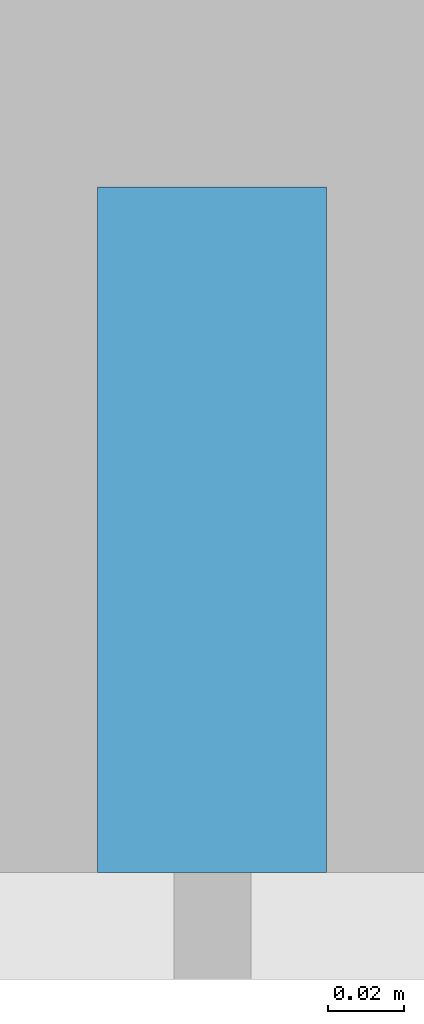
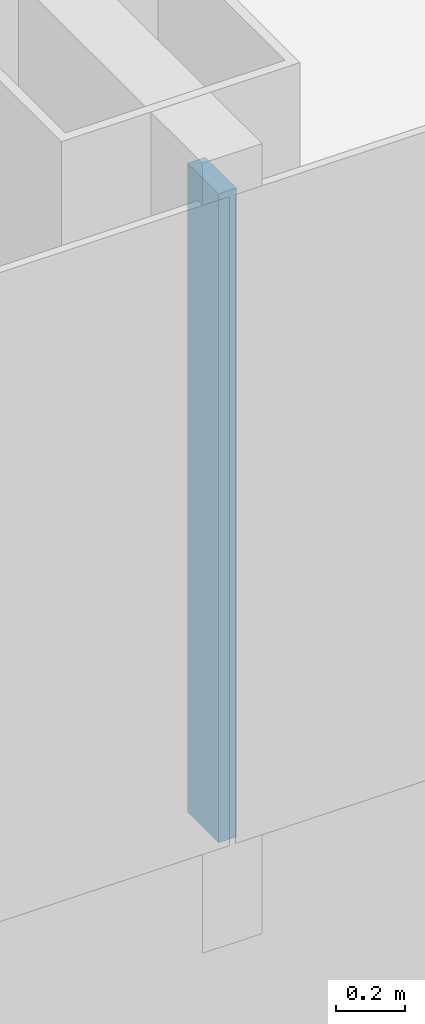
# One storey, part 6 of 29: 1 member, 1 element without a shape of its own.
"""IFC4 building model written with IfcOpenShell, lengths in metres."""

import ifcopenshell
import ifcopenshell.guid

model = None  # the IFC model being written
_history = None  # IfcOwnerHistory: only IFC2X3 demands one
_inside = {}  # id of a spatial element -> (the spatial element, [elements in it])
_under = {}  # id of a project, library or spatial element -> (it, [spatial elements below it])
_declared = {}  # id of a project -> (the project, [libraries it declares])
_typed = {}  # id of a type object -> (the type object, [elements of that type])
_made_of = {}  # id of a material, layer set ... -> (it, [elements and type objects made of it])


def new_model(schema):
    """Start an empty IFC model of exactly this schema.

    Asked for "IFC4X3", IfcOpenShell would pick the latest addendum, in which some entities
    have other attributes; the version numbers below select the first issue.
    IFC2X3 requires an IfcOwnerHistory on every rooted entity: one is made here for all.
    """
    global model, _history
    if schema == "IFC4X3":
        model = ifcopenshell.file(schema_version=(4, 3, 0, 0))
    else:
        model = ifcopenshell.file(schema=schema)
    _inside.clear()
    _under.clear()
    _declared.clear()
    _typed.clear()
    _made_of.clear()
    _history = None
    if model.schema == "IFC2X3":
        org = make("IfcOrganization", Name="unknown")
        user = make(
            "IfcPersonAndOrganization",
            ThePerson=make("IfcPerson", FamilyName="unknown"),
            TheOrganization=org,
        )
        app = make(
            "IfcApplication",
            ApplicationDeveloper=org,
            Version="unknown",
            ApplicationFullName="unknown",
            ApplicationIdentifier="unknown",
        )
        _history = make(
            "IfcOwnerHistory",
            OwningUser=user,
            OwningApplication=app,
            ChangeAction="ADDED",
            CreationDate=0,
        )
    return model


def make(cls, **values):
    """One entity of the class cls with the attributes given. An attribute that is None is left unset."""
    return model.create_entity(
        cls, **{name: value for name, value in values.items() if value is not None}
    )


def rooted(cls, **values):
    """An entity with a GlobalId (a new one), such as an element, a storey or a relation."""
    return make(cls, GlobalId=ifcopenshell.guid.new(), OwnerHistory=_history, **values)


def si_unit(unit_type, name, prefix=None):
    """IfcSIUnit, for example si_unit("LENGTHUNIT", "METRE", prefix="MILLI")."""
    return make("IfcSIUnit", UnitType=unit_type, Prefix=prefix, Name=name)


def assignment(units):
    """IfcUnitAssignment: the units of a project."""
    return None if units is None else make("IfcUnitAssignment", Units=units)


def point(xyz):
    """IfcCartesianPoint."""
    return None if xyz is None else make("IfcCartesianPoint", Coordinates=xyz)


def direction(xyz):
    """IfcDirection."""
    return None if xyz is None else make("IfcDirection", DirectionRatios=xyz)


def frame(location, z_axis=None, x_axis=None):
    """IfcAxis2Placement3D, a coordinate frame: its origin and axes. An axis left out is left unset."""
    return make(
        "IfcAxis2Placement3D",
        Location=point(location),
        Axis=direction(z_axis),
        RefDirection=direction(x_axis),
    )


def frame_2d(location, x_axis=None):
    """IfcAxis2Placement2D, a coordinate frame in the plane: its origin and x axis."""
    return make(
        "IfcAxis2Placement2D", Location=point(location), RefDirection=direction(x_axis)
    )


def origin():
    """The frame at (0, 0, 0) with its axes left unset."""
    return frame((0.0, 0.0, 0.0))


def origin_2d():
    """The frame at (0, 0) in the plane with its x axis left unset."""
    return frame_2d((0.0, 0.0))


def place(relative_to, where):
    """IfcLocalPlacement: puts the frame where relative to a parent placement (None: the world)."""
    return make(
        "IfcLocalPlacement", PlacementRelTo=relative_to, RelativePlacement=where
    )


def context(
    kind, dimensions, precision=None, world=None, true_north=None, identifier=None
):
    """IfcGeometricRepresentationContext, for example the 3D "Model" context."""
    return make(
        "IfcGeometricRepresentationContext",
        ContextIdentifier=identifier,
        ContextType=kind,
        CoordinateSpaceDimension=dimensions,
        Precision=precision,
        WorldCoordinateSystem=world,
        TrueNorth=true_north,
    )


def subcontext(parent, identifier, kind, view, scale=None):
    """IfcGeometricRepresentationSubContext, for example "Body" below "Model"."""
    return make(
        "IfcGeometricRepresentationSubContext",
        ContextIdentifier=identifier,
        ContextType=kind,
        ParentContext=parent,
        TargetScale=scale,
        TargetView=view,
    )


def project(units=None, contexts=None):
    """IfcProject with its units and contexts."""
    return rooted(
        "IfcProject",
        Name="project",
        RepresentationContexts=contexts,
        UnitsInContext=assignment(units),
    )


def spatial(cls, under=None, at=None, **own):
    """A site, building, storey or space (cls), placed at a placement, below another one or the project."""
    s = rooted(cls, ObjectPlacement=at, **own)
    if under is not None:
        _under.setdefault(under.id(), (under, []))[1].append(s)
    return s


def profile(cls, at=None, kind="AREA", **sizes):
    """A parametric profile (cls). Its sizes go by their IFC names, for example OverallWidth=200.0."""
    return make(cls, ProfileType=kind, Position=at, **sizes)


def rectangle(**sizes):
    """IfcRectangleProfileDef."""
    return profile("IfcRectangleProfileDef", **sizes)


def extrude(swept, where, along, depth):
    """IfcExtrudedAreaSolid: the profile swept, set in the frame where, extruded along a direction by depth."""
    return make(
        "IfcExtrudedAreaSolid",
        SweptArea=swept,
        Position=where,
        ExtrudedDirection=direction(along),
        Depth=depth,
    )


def shape(context_of_items, identifier, shape_type, items):
    """IfcShapeRepresentation: the items that make up one representation, for example the "Body"."""
    return make(
        "IfcShapeRepresentation",
        ContextOfItems=context_of_items,
        RepresentationIdentifier=identifier,
        RepresentationType=shape_type,
        Items=items,
    )


def material(Name=None, Category=None):
    """IfcMaterial."""
    return make("IfcMaterial", Name=Name, Category=Category)


def layer(
    of_material, thickness, ventilated=None, Name=None, Category=None, Priority=None
):
    """IfcMaterialLayer: one layer of a wall or slab, of a material (None: an air gap)."""
    return make(
        "IfcMaterialLayer",
        Material=of_material,
        LayerThickness=thickness,
        IsVentilated=ventilated,
        Name=Name,
        Category=Category,
        Priority=Priority,
    )


def layer_set(layers, Name=None):
    """IfcMaterialLayerSet."""
    return make("IfcMaterialLayerSet", MaterialLayers=layers, LayerSetName=Name)


def material_profile(
    of_material, cross_section, Name=None, Category=None, Priority=None
):
    """IfcMaterialProfile: a cross section and its material."""
    return make(
        "IfcMaterialProfile",
        Name=Name,
        Material=of_material,
        Profile=cross_section,
        Priority=Priority,
        Category=Category,
    )


def profile_set(profiles, Name=None, composite=None):
    """IfcMaterialProfileSet."""
    return make(
        "IfcMaterialProfileSet",
        Name=Name,
        MaterialProfiles=profiles,
        CompositeProfile=composite,
    )


def made_of(thing, what):
    """Note that an element or type object is made of a material, layer set ...; save() writes the relation."""
    if what is not None:
        _made_of.setdefault(what.id(), (what, []))[1].append(thing)
    return thing


def type_object(cls, material=None, **own):
    """A type object (cls), such as IfcWallType, which elements share."""
    return made_of(rooted(cls, **own), material)


def element(
    cls,
    number,
    at=None,
    inside=None,
    cuts=None,
    type_object=None,
    material=None,
    context=None,
    identifier="Body",
    shape_type=None,
    held_by="IfcProductDefinitionShape",
    body=None,
    shapes=None,
    **own,
):
    """One element of the class cls, such as IfcWall. Its Tag is "e" and its number.

    at: its placement. inside: the storey or other place that contains it. cuts: it is an
    opening in that element (IfcRelVoidsElement). A single representation is given by context,
    identifier, shape_type and body (its items); several are given by shapes. held_by: the class
    of the entity that holds the representations. save() writes the other relations.
    """
    e = rooted(cls, Tag="e%d" % number, ObjectPlacement=at, **own)
    if body is not None:
        shapes = [shape(context, identifier, shape_type, body)]
    if shapes is not None:
        e.Representation = make(held_by, Representations=shapes)
    if inside is not None:
        _inside.setdefault(inside.id(), (inside, []))[1].append(e)
    if cuts is not None:
        rooted(
            "IfcRelVoidsElement", RelatingBuildingElement=cuts, RelatedOpeningElement=e
        )
    if type_object is not None:
        _typed.setdefault(type_object.id(), (type_object, []))[1].append(e)
    return made_of(e, material)


def aggregate(whole, parts):
    """IfcRelAggregates: a whole, such as a stair, and the parts it consists of."""
    return rooted("IfcRelAggregates", RelatingObject=whole, RelatedObjects=parts)


def save(model, path):
    """Write the relations noted so far, then the file.

    IfcRelAggregates (storeys below a building ...), IfcRelContainedInSpatialStructure (elements
    in a storey), IfcRelDefinesByType, IfcRelAssociatesMaterial and IfcRelDeclares: one each for
    every whole, place, type object, material and project.
    """
    for whole, parts in _under.values():
        aggregate(whole, parts)
    for where, things in _inside.values():
        rooted(
            "IfcRelContainedInSpatialStructure",
            RelatedElements=things,
            RelatingStructure=where,
        )
    for kind, things in _typed.values():
        rooted("IfcRelDefinesByType", RelatedObjects=things, RelatingType=kind)
    for what, things in _made_of.values():
        rooted("IfcRelAssociatesMaterial", RelatedObjects=things, RelatingMaterial=what)
    for by, libraries in _declared.values():
        rooted("IfcRelDeclares", RelatingContext=by, RelatedDefinitions=libraries)
    model.write(path)


model = new_model("IFC4")

# Units and contexts
model_context = context("Model", 3, precision=1e-05, world=origin(), true_north=direction((0.0, 1.0)))
body_context = subcontext(model_context, "Body", "Model", "MODEL_VIEW")
ifc_project = project(units=[si_unit("LENGTHUNIT", "METRE"), si_unit("AREAUNIT", "SQUARE_METRE"), si_unit("VOLUMEUNIT", "CUBIC_METRE"), si_unit("PLANEANGLEUNIT", "RADIAN"), si_unit("MASSUNIT", "GRAM", prefix="KILO")], contexts=[model_context])

# Site, building, storey
site_placement = place(None, origin())
site = spatial("IfcSite", under=ifc_project, at=site_placement, CompositionType="ELEMENT")
building_placement = place(site_placement, origin())
building = spatial("IfcBuilding", under=site, at=building_placement, Name="Hakoniwa Tower and Hamabe Station Hall", CompositionType="ELEMENT")
storey_placement = place(building_placement, frame((0.0, 0.0, 110.60009765625)))
storey = spatial("IfcBuildingStorey", under=building, at=storey_placement, Name="L31", CompositionType="ELEMENT", Elevation=110.60009765625)

# Curtain wall, member
ifc_material_1 = material(Name="Dark low-e laminated glass", Category="glass")
ifc_layer = layer(ifc_material_1, 0.199951171875)
ifc_layer_set = layer_set([ifc_layer], Name="CW-1 UNITISED GUEST")
curtain_wall_type = type_object("IfcCurtainWallType", Name="CW-1 UNITISED GUEST", PredefinedType="NOTDEFINED", material=ifc_layer_set)
curtain_wall_placement = place(storey_placement, origin())
curtain_wall = element("IfcCurtainWall", 1, at=curtain_wall_placement, inside=storey, type_object=curtain_wall_type, Name="CW-1 curtain wall", PredefinedType="NOTDEFINED")
ifc_material_2 = material(Name="Aluminium 6063-T5 black anodised", Category="aluminium")
ifc_material_profile = material_profile(ifc_material_2, rectangle(XDim=0.06005859375, YDim=0.179931640625, at=origin_2d()), Name="CW-1 MULLION 60X180")
ifc_profile_set = profile_set([ifc_material_profile], Name="Aluminium 6063-T5 black anodised")
member_type = type_object("IfcMemberType", Name="CW-1 MULLION 60X180", PredefinedType="MULLION", material=ifc_profile_set)
member_placement = place(storey_placement, frame((8.39990234375, -15.431884765625, 0.349853515625), z_axis=(0.0, 0.0, 1.0), x_axis=(1.0, 0.0, 0.0)))
member = element("IfcMember", 2, at=member_placement, type_object=member_type, Name="CW-1 mullion", PredefinedType="MULLION", context=body_context, shape_type="SweptSolid", body=[
    extrude(rectangle(XDim=0.06005859375, YDim=0.179931640625, at=origin_2d()), origin(), (0.0, 0.0, 1.0), 2.300048828125),
])
aggregate(curtain_wall, [member])

save(model, "model.ifc")
